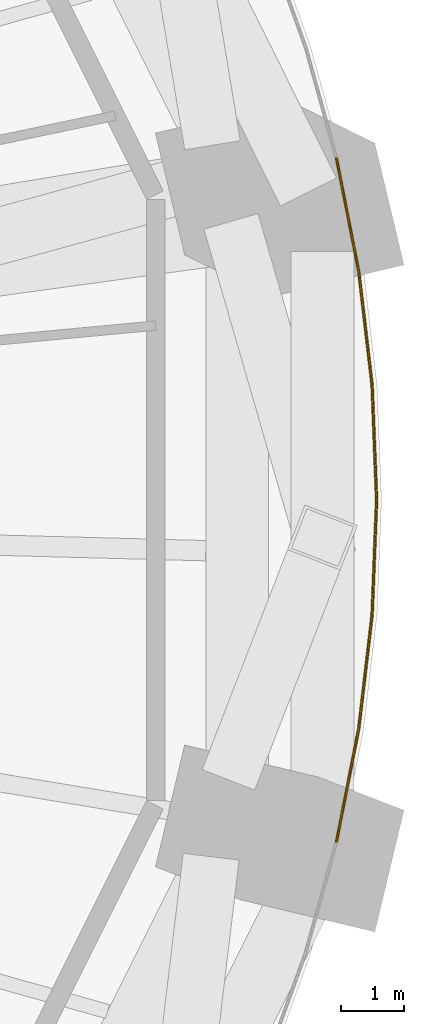
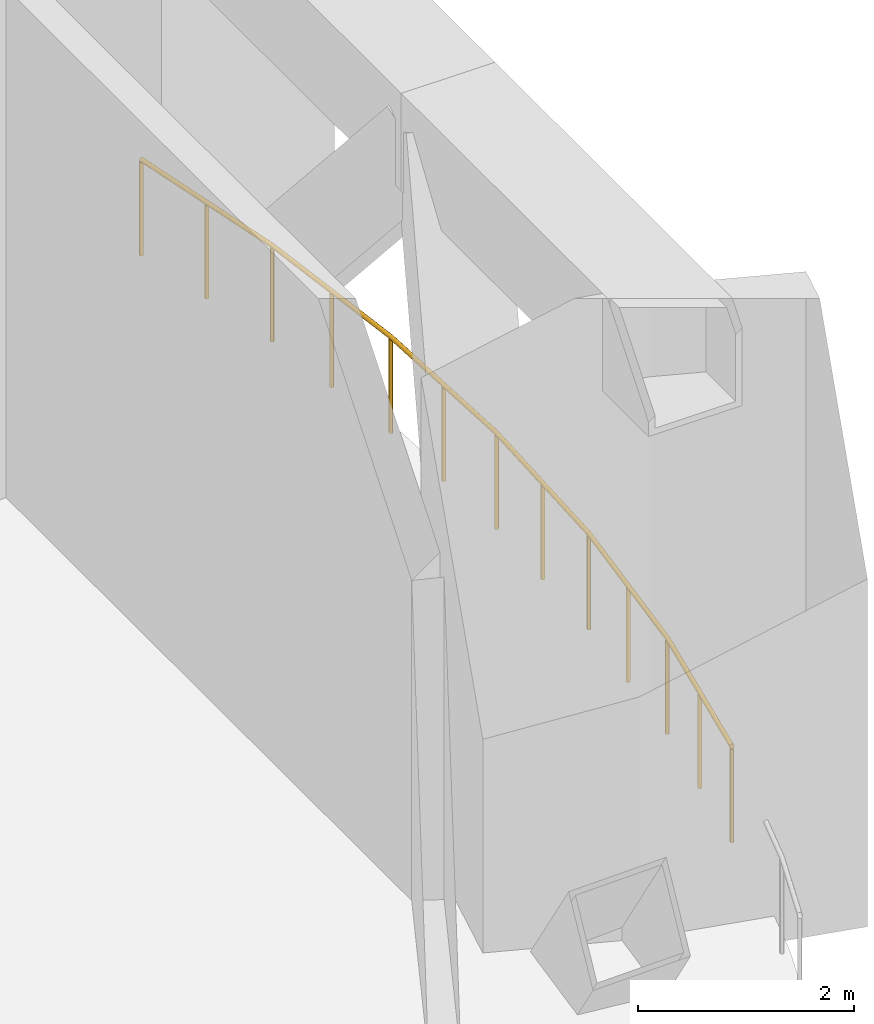
# One storey, part 11 of 12: 1 railing.
"""IFC4 building model written with IfcOpenShell, lengths in metres."""

from ifc_helpers import new_model, si_unit, direction, frame, origin, origin_2d, place, context, subcontext, project, spatial, circle, extrude, material, type_object, element, save


model = new_model("IFC4")

# Units and contexts
model_context = context("Model", 3, precision=1e-05, world=origin(), true_north=direction((0.0, 1.0)))
body_context = subcontext(model_context, "Body", "Model", "MODEL_VIEW")
ifc_project = project(units=[si_unit("LENGTHUNIT", "METRE"), si_unit("AREAUNIT", "SQUARE_METRE"), si_unit("VOLUMEUNIT", "CUBIC_METRE"), si_unit("PLANEANGLEUNIT", "RADIAN"), si_unit("MASSUNIT", "GRAM", prefix="KILO")], contexts=[model_context])

# Site, building, storey
site_placement = place(None, origin())
site = spatial("IfcSite", under=ifc_project, at=site_placement, CompositionType="ELEMENT")
building_placement = place(site_placement, origin())
building = spatial("IfcBuilding", under=site, at=building_placement, Name="Marenthal Gate Tower", CompositionType="ELEMENT")
storey_placement = place(building_placement, frame((0.0, 0.0, 149.64990234375)))
storey = spatial("IfcBuildingStorey", under=building, at=storey_placement, Name="L32", CompositionType="ELEMENT", Elevation=149.64990234375)

# Railing
ifc_material = material(Name="Stainless steel", Category="steel")
railing_type = type_object("IfcRailingType", Name="Balcony guard 1100", PredefinedType="GUARDRAIL", material=ifc_material)
railing_placement = place(storey_placement, frame((32.7412109375, -5.459228515625, 0.0)))
element("IfcRailing", 1, at=railing_placement, inside=storey, type_object=railing_type, Name="Refuge band guard L32 bay 16", PredefinedType="GUARDRAIL", context=body_context, shape_type="SweptSolid", body=[
    extrude(circle(Radius=0.02392578125, at=origin_2d()), frame((0.0, 0.0, 1.076171875), z_axis=(0.193030229878, 0.981192809978, 0.0), x_axis=(-0.981192809978, 0.193030229878, 0.0)), (0.0, 0.0, 1.0), 1.841552734375),
    extrude(circle(Radius=0.02392578125, at=origin_2d()), frame((0.35546875, 1.806884765625, 1.076171875), z_axis=(0.116563309065, 0.993183263542, 0.0), x_axis=(-0.993183263542, 0.116563309065, 0.0)), (0.0, 0.0, 1.0), 1.834716796875),
    extrude(circle(Radius=0.02392578125, at=origin_2d()), frame((0.5693359375, 3.629150390625, 1.076171875), z_axis=(0.039057687902, 0.999236957391, 0.0), x_axis=(-0.999236957391, 0.039057687902, 0.0)), (0.0, 0.0, 1.0), 1.83154296875),
    extrude(circle(Radius=0.02392578125, at=origin_2d()), frame((0.640869140625, 5.459228515625, 1.076171875), z_axis=(-0.039057687902, 0.999236957391, 0.0), x_axis=(-0.999236957391, -0.039057687902, 0.0)), (0.0, 0.0, 1.0), 1.83154296875),
    extrude(circle(Radius=0.02392578125, at=origin_2d()), frame((0.5693359375, 7.289306640625, 1.076171875), z_axis=(-0.116563309065, 0.993183263542, 0.0), x_axis=(-0.993183263542, -0.116563309065, 0.0)), (0.0, 0.0, 1.0), 1.834716796875),
    extrude(circle(Radius=0.02392578125, at=origin_2d()), frame((0.35546875, 9.111572265625, 1.076171875), z_axis=(-0.193030229878, 0.981192809978, 0.0), x_axis=(-0.981192809978, -0.193030229878, 0.0)), (0.0, 0.0, 1.0), 1.841552734375),
    extrude(circle(Radius=0.02099609375, at=origin_2d()), origin(), (0.0, 0.0, 1.0), 1.052001953125),
    extrude(circle(Radius=0.02099609375, at=origin_2d()), frame((0.177734375, 0.9033203125, 0.0)), (0.0, 0.0, 1.0), 1.052001953125),
    extrude(circle(Radius=0.02099609375, at=origin_2d()), frame((0.35546875, 1.806884765625, 0.0)), (0.0, 0.0, 1.0), 1.052001953125),
    extrude(circle(Radius=0.02099609375, at=origin_2d()), frame((0.46240234375, 2.718017578125, 0.0)), (0.0, 0.0, 1.0), 1.052001953125),
    extrude(circle(Radius=0.02099609375, at=origin_2d()), frame((0.5693359375, 3.629150390625, 0.0)), (0.0, 0.0, 1.0), 1.052001953125),
    extrude(circle(Radius=0.02099609375, at=origin_2d()), frame((0.60498046875, 4.544189453125, 0.0)), (0.0, 0.0, 1.0), 1.052001953125),
    extrude(circle(Radius=0.02099609375, at=origin_2d()), frame((0.640869140625, 5.459228515625, 0.0)), (0.0, 0.0, 1.0), 1.052001953125),
    extrude(circle(Radius=0.02099609375, at=origin_2d()), frame((0.60498046875, 6.374267578125, 0.0)), (0.0, 0.0, 1.0), 1.052001953125),
    extrude(circle(Radius=0.02099609375, at=origin_2d()), frame((0.5693359375, 7.289306640625, 0.0)), (0.0, 0.0, 1.0), 1.052001953125),
    extrude(circle(Radius=0.02099609375, at=origin_2d()), frame((0.46240234375, 8.200439453125, 0.0)), (0.0, 0.0, 1.0), 1.052001953125),
    extrude(circle(Radius=0.02099609375, at=origin_2d()), frame((0.35546875, 9.111572265625, 0.0)), (0.0, 0.0, 1.0), 1.052001953125),
    extrude(circle(Radius=0.02099609375, at=origin_2d()), frame((0.177734375, 10.01513671875, 0.0)), (0.0, 0.0, 1.0), 1.052001953125),
    extrude(circle(Radius=0.02099609375, at=origin_2d()), frame((0.0, 10.91845703125, 0.0)), (0.0, 0.0, 1.0), 1.052001953125),
])

save(model, "model.ifc")
